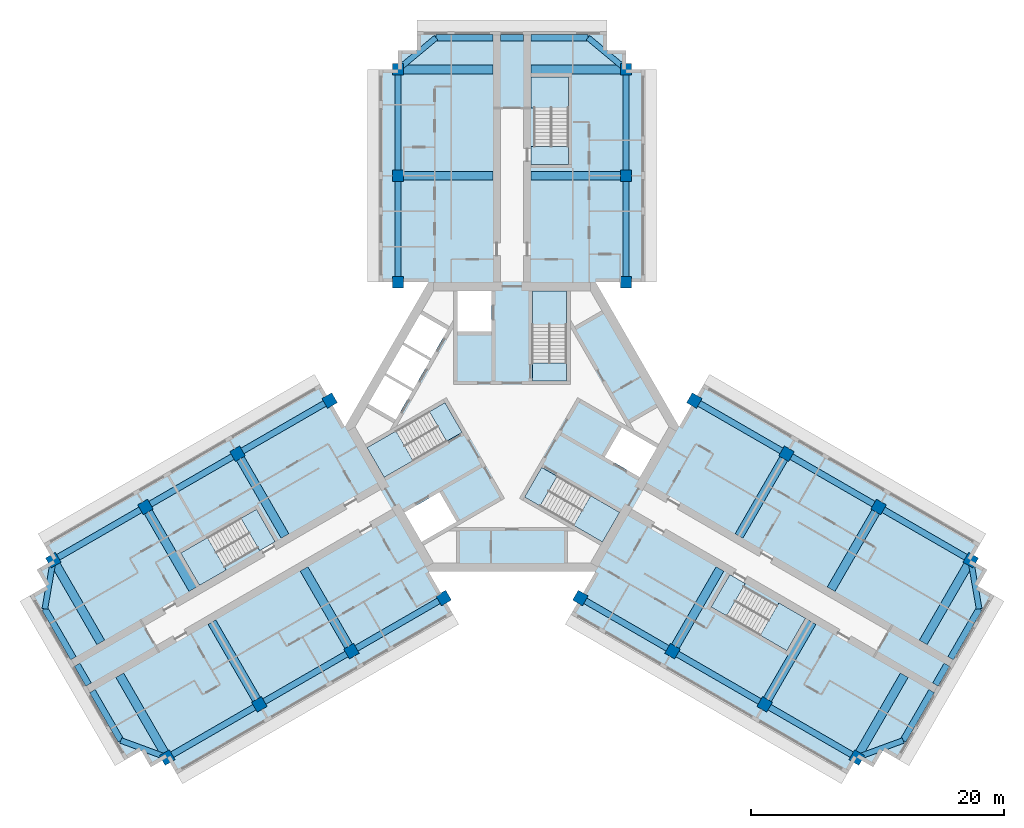
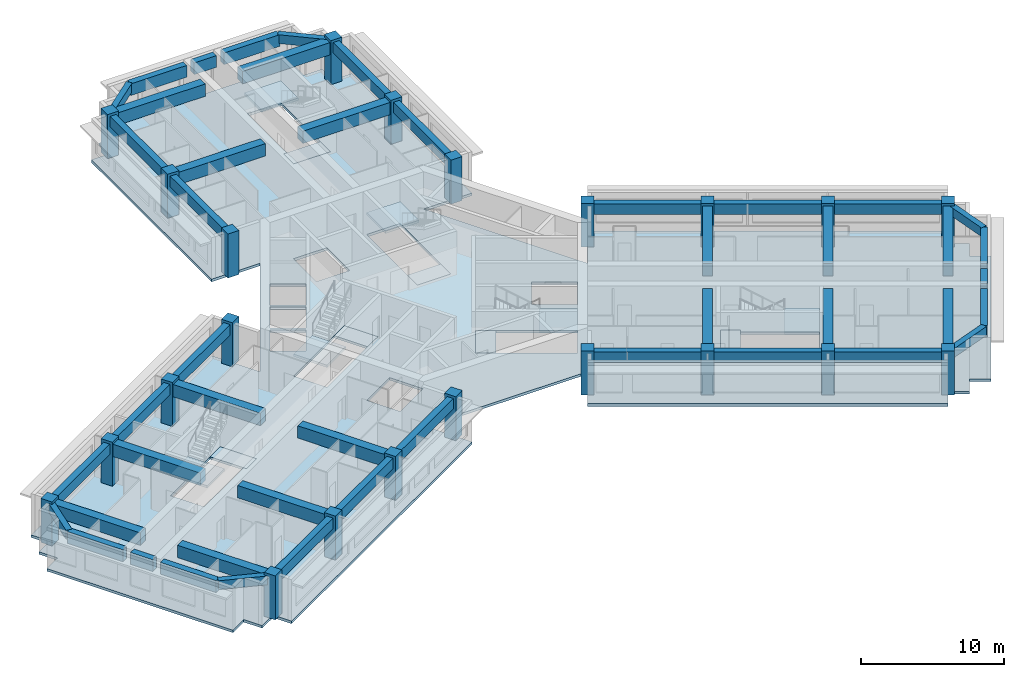
# One storey, part 1 of 10: 47 beams, 22 columns, 13 slabs, 6 elements without a shape of their own.
"""IFC4 building model written with IfcOpenShell, lengths in metres."""

from ifc_helpers import new_model, si_unit, direction, frame, origin, origin_2d, place, context, subcontext, project, spatial, polyline, rectangle, outline, extrude, material, layer, layer_set, material_profile, profile_set, type_object, element, aggregate, save


model = new_model("IFC4")

# Units and contexts
model_context = context("Model", 3, precision=1e-05, world=origin(), true_north=direction((0.0, 1.0)))
body_context = subcontext(model_context, "Body", "Model", "MODEL_VIEW")
ifc_project = project(units=[si_unit("LENGTHUNIT", "METRE"), si_unit("AREAUNIT", "SQUARE_METRE"), si_unit("VOLUMEUNIT", "CUBIC_METRE"), si_unit("PLANEANGLEUNIT", "RADIAN"), si_unit("MASSUNIT", "GRAM", prefix="KILO")], contexts=[model_context])

# Site, building, storey
site_placement = place(None, origin())
site = spatial("IfcSite", under=ifc_project, at=site_placement, CompositionType="ELEMENT")
building_placement = place(site_placement, origin())
building = spatial("IfcBuilding", under=site, at=building_placement, Name="Impinga Residences", CompositionType="ELEMENT")
storey_placement = place(building_placement, frame((0.0, 0.0, 192.25)))
storey = spatial("IfcBuildingStorey", under=building, at=storey_placement, Name="L47", CompositionType="ELEMENT", Elevation=192.25)

# Columns
ifc_material_1 = material(Name="Concrete C60/75", Category="concrete")
ifc_material_profile_1 = material_profile(ifc_material_1, rectangle(XDim=0.89990234375, YDim=0.89990234375, at=origin_2d()), Name="RC 900x900")
ifc_profile_set_1 = profile_set([ifc_material_profile_1], Name="Concrete C60/75")
column_type = type_object("IfcColumnType", Name="C4 900x900 column", PredefinedType="COLUMN", material=ifc_profile_set_1)
for number, where, z_axis, x_axis, name in (
    (1, (-9.0, 11.431640625, 0.0), (0.0, 0.0, 1.0), (1.0, 0.0, 0.0), "Column C4 N1/NA L47"),
    (2, (9.0, 11.431640625, 0.0), (0.0, 0.0, 1.0), (1.0, 0.0, 0.0), "Column C4 N1/NF L47"),
    (3, (-9.0, 19.83154296875, 0.0), (0.0, 0.0, 1.0), (1.0, 0.0, 0.0), "Column C4 N2/NA L47"),
    (4, (9.0, 19.83154296875, 0.0), (0.0, 0.0, 1.0), (1.0, 0.0, 0.0), "Column C4 N2/NF L47"),
    (5, (-9.0, 28.2314453125, 0.0), (0.0, 0.0, 1.0), (1.0, 0.0, 0.0), "Column C4 N3/NA L47"),
    (6, (9.0, 28.2314453125, 0.0), (0.0, 0.0, 1.0), (1.0, 0.0, 0.0), "Column C4 N3/NF L47"),
    (7, (-5.39990234375, -13.510009765625, 0.0), (0.0, 0.0, 1.0), (-0.5, 0.866025403784, 0.0), "Column C4 W1/WA L47"),
    (8, (-14.39990234375, 2.078369140625, 0.0), (0.0, 0.0, 1.0), (-0.5, 0.866025403784, 0.0), "Column C4 W1/WF L47"),
    (9, (-12.674560546875, -17.7099609375, 0.0), (0.0, 0.0, 1.0), (-0.5, 0.866025403784, 0.0), "Column C4 W2/WA L47"),
    (10, (-21.674560546875, -2.12158203125, 0.0), (0.0, 0.0, 1.0), (-0.5, 0.866025403784, 0.0), "Column C4 W2/WF L47"),
    (11, (-19.94921875, -21.909912109375, 0.0), (0.0, 0.0, 1.0), (-0.5, 0.866025403784, 0.0), "Column C4 W3/WA L47"),
    (12, (-28.94921875, -6.321533203125, 0.0), (0.0, 0.0, 1.0), (-0.5, 0.866025403784, 0.0), "Column C4 W3/WF L47"),
    (13, (-27.223876953125, -26.110107421875, 0.0), (0.0, 0.0, 1.0), (-0.5, 0.866025403784, 0.0), "Column C4 W4/WA L47"),
    (14, (-36.223876953125, -10.521484375, 0.0), (0.0, 0.0, 1.0), (-0.5, 0.866025403784, 0.0), "Column C4 W4/WF L47"),
    (15, (14.39990234375, 2.078369140625, 0.0), (0.0, 0.0, 1.0), (-0.5, -0.866025403784, 0.0), "Column C4 E1/EA L47"),
    (16, (5.39990234375, -13.510009765625, 0.0), (0.0, 0.0, 1.0), (-0.5, -0.866025403784, 0.0), "Column C4 E1/EF L47"),
    (17, (21.674560546875, -2.12158203125, 0.0), (0.0, 0.0, 1.0), (-0.5, -0.866025403784, 0.0), "Column C4 E2/EA L47"),
    (18, (12.674560546875, -17.7099609375, 0.0), (0.0, 0.0, 1.0), (-0.5, -0.866025403784, 0.0), "Column C4 E2/EF L47"),
    (19, (28.94921875, -6.321533203125, 0.0), (0.0, 0.0, 1.0), (-0.5, -0.866025403784, 0.0), "Column C4 E3/EA L47"),
    (20, (19.94921875, -21.909912109375, 0.0), (0.0, 0.0, 1.0), (-0.5, -0.866025403784, 0.0), "Column C4 E3/EF L47"),
    (21, (36.223876953125, -10.521484375, 0.0), (0.0, 0.0, 1.0), (-0.5, -0.866025403784, 0.0), "Column C4 E4/EA L47"),
    (22, (27.223876953125, -26.110107421875, 0.0), (0.0, 0.0, 1.0), (-0.5, -0.866025403784, 0.0), "Column C4 E4/EF L47"),
):
    element("IfcColumn", number, at=place(storey_placement, frame(where, z_axis=z_axis, x_axis=x_axis)), inside=storey, type_object=column_type, Name=name, PredefinedType="COLUMN", context=body_context, shape_type="SweptSolid", body=[
        extrude(rectangle(XDim=0.89990234375, YDim=0.89990234375, at=origin_2d()), origin(), (0.0, 0.0, 1.0), 3.75),
    ])

# Beams
ifc_material_profile_2 = material_profile(ifc_material_1, rectangle(XDim=0.449951171875, YDim=0.75, at=origin_2d()), Name="RC 450x750")
ifc_profile_set_2 = profile_set([ifc_material_profile_2], Name="Concrete C60/75")
beam_type_1 = type_object("IfcBeamType", Name="CB1 450x750 wing end cantilever beam", PredefinedType="BEAM", material=ifc_profile_set_2)
for number, where, z_axis, x_axis, name in (
    (23, (-9.0, 28.2314453125, 3.155029296875), (0.768221279597, 0.640184399664, 0.0), (-0.640184399664, 0.768221279597, 0.0), "Beam CB1 NB N3-NX level L48"),
    (24, (9.0, 28.2314453125, 3.155029296875), (-0.768221279597, 0.640184399664, 0.0), (-0.640184399664, -0.768221279597, 0.0), "Beam CB1 NE N3-NX level L48"),
    (25, (-27.223876953125, -26.110107421875, 3.155029296875), (-0.938520178725, 0.345224382289, 0.0), (-0.345224382289, -0.938520178725, 0.0), "Beam CB1 WB W4-WX level L48"),
):
    element("IfcBeam", number, at=place(storey_placement, frame(where, z_axis=z_axis, x_axis=x_axis)), inside=storey, type_object=beam_type_1, Name=name, PredefinedType="BEAM", context=body_context, shape_type="SweptSolid", body=[
        extrude(rectangle(XDim=0.449951171875, YDim=0.75, at=origin_2d()), origin(), (0.0, 0.0, 1.0), 3.905029296875),
    ])
for number, where, z_axis, x_axis, name in (
    (26, (-36.223876953125, -10.521484375, 3.155029296875), (-0.170296298948, -0.985392901621, 0.0), (0.985392901621, -0.170296298948, 0.0), "Beam CB1 WE W4-WX level L48"),
    (27, (36.223876953125, -10.521484375, 3.155029296875), (0.170296298948, -0.985392901621, 0.0), (0.985392901621, 0.170296298948, 0.0), "Beam CB1 EB E4-EX level L48"),
):
    element("IfcBeam", number, at=place(storey_placement, frame(where, z_axis=z_axis, x_axis=x_axis)), inside=storey, type_object=beam_type_1, Name=name, PredefinedType="BEAM", context=body_context, shape_type="SweptSolid", body=[
        extrude(rectangle(XDim=0.449951171875, YDim=0.75, at=origin_2d()), origin(), (0.0, 0.0, 1.0), 3.9052734375),
    ])
beam_1_placement = place(storey_placement, frame((27.223876953125, -26.110107421875, 3.155029296875), z_axis=(0.938520178725, 0.345224382289, 0.0), x_axis=(-0.345224382289, 0.938520178725, 0.0)))
element("IfcBeam", 28, at=beam_1_placement, inside=storey, type_object=beam_type_1, Name="Beam CB1 EE E4-EX level L48", PredefinedType="BEAM", context=body_context, shape_type="SweptSolid", body=[
    extrude(rectangle(XDim=0.449951171875, YDim=0.75, at=origin_2d()), origin(), (0.0, 0.0, 1.0), 3.905029296875),
])
ifc_material_profile_3 = material_profile(ifc_material_1, rectangle(XDim=0.699951171875, YDim=1.050048828125, at=origin_2d()), Name="RC 700x1050")
ifc_profile_set_3 = profile_set([ifc_material_profile_3], Name="Concrete C60/75")
beam_type_2 = type_object("IfcBeamType", Name="CG1 700x1050 cross girder on a wing bay line", PredefinedType="BEAM", material=ifc_profile_set_3)
for number, where, z_axis, x_axis, name in (
    (29, (-1.5, 19.83154296875, 3.0048828125), (-1.0, 0.0, 0.0), (0.0, -1.0, 0.0), "Beam CG1 N2 NC/NA level L48"),
    (30, (-1.5, 28.2314453125, 3.0048828125), (-1.0, 0.0, 0.0), (0.0, -1.0, 0.0), "Beam CG1 N3 NC/NA level L48"),
    (31, (1.5, 19.83154296875, 3.0048828125), (1.0, 0.0, 0.0), (0.0, 1.0, 0.0), "Beam CG1 N2 NC/NF level L48"),
    (32, (1.5, 28.2314453125, 3.0048828125), (1.0, 0.0, 0.0), (0.0, 1.0, 0.0), "Beam CG1 N3 NC/NF level L48"),
    (33, (-16.424560546875, -11.21484375, 3.0048828125), (0.500004234368, -0.866022959057, 0.0), (0.866022959057, 0.500004234368, 0.0), "Beam CG1 W2 WC/WA level L48"),
    (34, (-23.69921875, -15.414794921875, 3.0048828125), (0.500004234368, -0.866022959057, 0.0), (0.866022959057, 0.500004234368, 0.0), "Beam CG1 W3 WC/WA level L48"),
):
    element("IfcBeam", number, at=place(storey_placement, frame(where, z_axis=z_axis, x_axis=x_axis)), inside=storey, type_object=beam_type_2, Name=name, PredefinedType="BEAM", context=body_context, shape_type="SweptSolid", body=[
        extrude(rectangle(XDim=0.699951171875, YDim=1.050048828125, at=origin_2d()), origin(), (0.0, 0.0, 1.0), 7.5),
    ])
beam_2_placement = place(storey_placement, frame((-30.973876953125, -19.61474609375, 3.0048828125), z_axis=(0.499990139034, -0.866031096941, 0.0), x_axis=(0.866031096941, 0.499990139034, 0.0)))
element("IfcBeam", 35, at=beam_2_placement, inside=storey, type_object=beam_type_2, Name="Beam CG1 W4 WC/WA level L48", PredefinedType="BEAM", context=body_context, shape_type="SweptSolid", body=[
    extrude(rectangle(XDim=0.699951171875, YDim=1.050048828125, at=origin_2d()), origin(), (0.0, 0.0, 1.0), 7.500244140625),
])
for number, where, z_axis, x_axis, name in (
    (36, (-17.924560546875, -8.61669921875, 3.0048828125), (-0.500004234368, 0.866022959057, 0.0), (-0.866022959057, -0.500004234368, 0.0), "Beam CG1 W2 WC/WF level L48"),
    (37, (-25.19921875, -12.816650390625, 3.0048828125), (-0.500004234368, 0.866022959057, 0.0), (-0.866022959057, -0.500004234368, 0.0), "Beam CG1 W3 WC/WF level L48"),
):
    element("IfcBeam", number, at=place(storey_placement, frame(where, z_axis=z_axis, x_axis=x_axis)), inside=storey, type_object=beam_type_2, Name=name, PredefinedType="BEAM", context=body_context, shape_type="SweptSolid", body=[
        extrude(rectangle(XDim=0.699951171875, YDim=1.050048828125, at=origin_2d()), origin(), (0.0, 0.0, 1.0), 7.5),
    ])
beam_3_placement = place(storey_placement, frame((-32.473876953125, -17.016845703125, 3.0048828125), z_axis=(-0.499990139034, 0.866031096941, 0.0), x_axis=(-0.866031096941, -0.499990139034, 0.0)))
element("IfcBeam", 38, at=beam_3_placement, inside=storey, type_object=beam_type_2, Name="Beam CG1 W4 WC/WF level L48", PredefinedType="BEAM", context=body_context, shape_type="SweptSolid", body=[
    extrude(rectangle(XDim=0.699951171875, YDim=1.050048828125, at=origin_2d()), origin(), (0.0, 0.0, 1.0), 7.500244140625),
])
for number, where, z_axis, x_axis, name in (
    (39, (17.924560546875, -8.61669921875, 3.0048828125), (0.500004234368, 0.866022959057, 0.0), (-0.866022959057, 0.500004234368, 0.0), "Beam CG1 E2 EC/EA level L48"),
    (40, (25.19921875, -12.816650390625, 3.0048828125), (0.500004234368, 0.866022959057, 0.0), (-0.866022959057, 0.500004234368, 0.0), "Beam CG1 E3 EC/EA level L48"),
):
    element("IfcBeam", number, at=place(storey_placement, frame(where, z_axis=z_axis, x_axis=x_axis)), inside=storey, type_object=beam_type_2, Name=name, PredefinedType="BEAM", context=body_context, shape_type="SweptSolid", body=[
        extrude(rectangle(XDim=0.699951171875, YDim=1.050048828125, at=origin_2d()), origin(), (0.0, 0.0, 1.0), 7.5),
    ])
beam_4_placement = place(storey_placement, frame((32.473876953125, -17.016845703125, 3.0048828125), z_axis=(0.499990139034, 0.866031096941, 0.0), x_axis=(-0.866031096941, 0.499990139034, 0.0)))
element("IfcBeam", 41, at=beam_4_placement, inside=storey, type_object=beam_type_2, Name="Beam CG1 E4 EC/EA level L48", PredefinedType="BEAM", context=body_context, shape_type="SweptSolid", body=[
    extrude(rectangle(XDim=0.699951171875, YDim=1.050048828125, at=origin_2d()), origin(), (0.0, 0.0, 1.0), 7.500244140625),
])
for number, where, z_axis, x_axis, name in (
    (42, (16.424560546875, -11.21484375, 3.0048828125), (-0.500004234368, -0.866022959057, 0.0), (0.866022959057, -0.500004234368, 0.0), "Beam CG1 E2 EC/EF level L48"),
    (43, (23.69921875, -15.414794921875, 3.0048828125), (-0.500004234368, -0.866022959057, 0.0), (0.866022959057, -0.500004234368, 0.0), "Beam CG1 E3 EC/EF level L48"),
):
    element("IfcBeam", number, at=place(storey_placement, frame(where, z_axis=z_axis, x_axis=x_axis)), inside=storey, type_object=beam_type_2, Name=name, PredefinedType="BEAM", context=body_context, shape_type="SweptSolid", body=[
        extrude(rectangle(XDim=0.699951171875, YDim=1.050048828125, at=origin_2d()), origin(), (0.0, 0.0, 1.0), 7.5),
    ])
beam_5_placement = place(storey_placement, frame((30.973876953125, -19.61474609375, 3.0048828125), z_axis=(-0.499990139034, -0.866031096941, 0.0), x_axis=(0.866031096941, -0.499990139034, 0.0)))
element("IfcBeam", 44, at=beam_5_placement, inside=storey, type_object=beam_type_2, Name="Beam CG1 E4 EC/EF level L48", PredefinedType="BEAM", context=body_context, shape_type="SweptSolid", body=[
    extrude(rectangle(XDim=0.699951171875, YDim=1.050048828125, at=origin_2d()), origin(), (0.0, 0.0, 1.0), 7.500244140625),
])
ifc_material_profile_4 = material_profile(ifc_material_1, rectangle(XDim=0.5, YDim=1.0, at=origin_2d()), Name="RC 500x1000")
ifc_profile_set_4 = profile_set([ifc_material_profile_4], Name="Concrete C60/75")
beam_type_3 = type_object("IfcBeamType", Name="EB1 500x1000 wing end beam", PredefinedType="BEAM", material=ifc_profile_set_4)
beam_6_placement = place(storey_placement, frame((-6.0, 30.7314453125, 3.030029296875), z_axis=(1.0, 0.0, 0.0), x_axis=(0.0, 1.0, 0.0)))
element("IfcBeam", 45, at=beam_6_placement, inside=storey, type_object=beam_type_3, Name="Beam EB1 NX2 level L48", PredefinedType="BEAM", context=body_context, shape_type="SweptSolid", body=[
    extrude(rectangle(XDim=0.5, YDim=1.0, at=origin_2d()), origin(), (0.0, 0.0, 1.0), 4.5),
])
beam_7_placement = place(storey_placement, frame((-0.89990234375, 30.7314453125, 3.030029296875), z_axis=(1.0, 0.0, 0.0), x_axis=(0.0, 1.0, 0.0)))
element("IfcBeam", 46, at=beam_7_placement, inside=storey, type_object=beam_type_3, Name="Beam EB1 NX2 level L48", PredefinedType="BEAM", context=body_context, shape_type="SweptSolid", body=[
    extrude(rectangle(XDim=0.5, YDim=1.0, at=origin_2d()), origin(), (0.0, 0.0, 1.0), 1.7998046875),
])
for number, where, z_axis, x_axis, name in (
    (47, (1.5, 30.7314453125, 3.030029296875), (1.0, 0.0, 0.0), (0.0, 1.0, 0.0), "Beam EB1 NX2 level L48"),
    (48, (-30.888916015625, -24.761962890625, 3.030029296875), (-0.499990139034, 0.866031096941, 0.0), (-0.866031096941, -0.499990139034, 0.0), "Beam EB1 WX3 level L48"),
):
    element("IfcBeam", number, at=place(storey_placement, frame(where, z_axis=z_axis, x_axis=x_axis)), inside=storey, type_object=beam_type_3, Name=name, PredefinedType="BEAM", context=body_context, shape_type="SweptSolid", body=[
        extrude(rectangle(XDim=0.5, YDim=1.0, at=origin_2d()), origin(), (0.0, 0.0, 1.0), 4.5),
    ])
beam_8_placement = place(storey_placement, frame((-33.43896484375, -20.34521484375, 3.030029296875), z_axis=(-0.499961193289, 0.866047807691, 0.0), x_axis=(-0.866047807691, -0.499961193289, 0.0)))
element("IfcBeam", 49, at=beam_8_placement, inside=storey, type_object=beam_type_3, Name="Beam EB1 WX3 level L48", PredefinedType="BEAM", context=body_context, shape_type="SweptSolid", body=[
    extrude(rectangle(XDim=0.5, YDim=1.0, at=origin_2d()), origin(), (0.0, 0.0, 1.0), 1.800048828125),
])
for number, where, z_axis, x_axis, name in (
    (50, (-34.638916015625, -18.266845703125, 3.030029296875), (-0.499990139034, 0.866031096941, 0.0), (-0.866031096941, -0.499990139034, 0.0), "Beam EB1 WX3 level L48"),
    (51, (36.888916015625, -14.36962890625, 3.030029296875), (-0.499990139034, -0.866031096941, 0.0), (0.866031096941, -0.499990139034, 0.0), "Beam EB1 EX3 level L48"),
):
    element("IfcBeam", number, at=place(storey_placement, frame(where, z_axis=z_axis, x_axis=x_axis)), inside=storey, type_object=beam_type_3, Name=name, PredefinedType="BEAM", context=body_context, shape_type="SweptSolid", body=[
        extrude(rectangle(XDim=0.5, YDim=1.0, at=origin_2d()), origin(), (0.0, 0.0, 1.0), 4.5),
    ])
beam_9_placement = place(storey_placement, frame((34.3388671875, -18.786376953125, 3.030029296875), z_axis=(-0.499961193289, -0.866047807691, 0.0), x_axis=(0.866047807691, -0.499961193289, 0.0)))
element("IfcBeam", 52, at=beam_9_placement, inside=storey, type_object=beam_type_3, Name="Beam EB1 EX3 level L48", PredefinedType="BEAM", context=body_context, shape_type="SweptSolid", body=[
    extrude(rectangle(XDim=0.5, YDim=1.0, at=origin_2d()), origin(), (0.0, 0.0, 1.0), 1.800048828125),
])
beam_10_placement = place(storey_placement, frame((33.138916015625, -20.86474609375, 3.030029296875), z_axis=(-0.499990139034, -0.866031096941, 0.0), x_axis=(0.866031096941, -0.499990139034, 0.0)))
element("IfcBeam", 53, at=beam_10_placement, inside=storey, type_object=beam_type_3, Name="Beam EB1 EX3 level L48", PredefinedType="BEAM", context=body_context, shape_type="SweptSolid", body=[
    extrude(rectangle(XDim=0.5, YDim=1.0, at=origin_2d()), origin(), (0.0, 0.0, 1.0), 4.5),
])
ifc_material_profile_5 = material_profile(ifc_material_1, rectangle(XDim=0.5, YDim=0.89990234375, at=origin_2d()), Name="RC 500x900")
ifc_profile_set_5 = profile_set([ifc_material_profile_5], Name="Concrete C60/75")
beam_type_4 = type_object("IfcBeamType", Name="SB1 500x900 perimeter spandrel beam", PredefinedType="SPANDREL", material=ifc_profile_set_5)
for number, where, z_axis, x_axis, name in (
    (54, (-9.0, 11.431640625, 3.080078125), (0.0, 1.0, 0.0), (-1.0, 0.0, 0.0), "Beam SB1 NA N1-N2 level L48"),
    (55, (-9.0, 19.83154296875, 3.080078125), (0.0, 1.0, 0.0), (-1.0, 0.0, 0.0), "Beam SB1 NA N2-N3 level L48"),
    (56, (9.0, 11.431640625, 3.080078125), (0.0, 1.0, 0.0), (-1.0, 0.0, 0.0), "Beam SB1 NF N1-N2 level L48"),
    (57, (9.0, 19.83154296875, 3.080078125), (0.0, 1.0, 0.0), (-1.0, 0.0, 0.0), "Beam SB1 NF N2-N3 level L48"),
    (58, (-5.39990234375, -13.510009765625, 3.080078125), (-0.86602925447, -0.499993330357, 0.0), (0.499993330357, -0.86602925447, 0.0), "Beam SB1 WA W1-W2 level L48"),
    (59, (-12.674560546875, -17.7099609375, 3.080078125), (-0.86602925447, -0.499993330357, 0.0), (0.499993330357, -0.86602925447, 0.0), "Beam SB1 WA W2-W3 level L48"),
):
    element("IfcBeam", number, at=place(storey_placement, frame(where, z_axis=z_axis, x_axis=x_axis)), inside=storey, type_object=beam_type_4, Name=name, PredefinedType="SPANDREL", context=body_context, shape_type="SweptSolid", body=[
        extrude(rectangle(XDim=0.5, YDim=0.89990234375, at=origin_2d()), origin(), (0.0, 0.0, 1.0), 8.39990234375),
    ])
beam_11_placement = place(storey_placement, frame((-19.94921875, -21.909912109375, 3.080078125), z_axis=(-0.866016669275, -0.500015128309, 0.0), x_axis=(0.500015128309, -0.866016669275, 0.0)))
element("IfcBeam", 60, at=beam_11_placement, inside=storey, type_object=beam_type_4, Name="Beam SB1 WA W3-W4 level L48", PredefinedType="SPANDREL", context=body_context, shape_type="SweptSolid", body=[
    extrude(rectangle(XDim=0.5, YDim=0.89990234375, at=origin_2d()), origin(), (0.0, 0.0, 1.0), 8.400146484375),
])
for number, where, z_axis, x_axis, name in (
    (61, (-14.39990234375, 2.078369140625, 3.080078125), (-0.86602925447, -0.499993330357, 0.0), (0.499993330357, -0.86602925447, 0.0), "Beam SB1 WF W1-W2 level L48"),
    (62, (-21.674560546875, -2.12158203125, 3.080078125), (-0.86602925447, -0.499993330357, 0.0), (0.499993330357, -0.86602925447, 0.0), "Beam SB1 WF W2-W3 level L48"),
    (63, (-28.94921875, -6.321533203125, 3.080078125), (-0.86602925447, -0.499993330357, 0.0), (0.499993330357, -0.86602925447, 0.0), "Beam SB1 WF W3-W4 level L48"),
    (64, (14.39990234375, 2.078369140625, 3.080078125), (0.86602925447, -0.499993330357, 0.0), (0.499993330357, 0.86602925447, 0.0), "Beam SB1 EA E1-E2 level L48"),
    (65, (21.674560546875, -2.12158203125, 3.080078125), (0.86602925447, -0.499993330357, 0.0), (0.499993330357, 0.86602925447, 0.0), "Beam SB1 EA E2-E3 level L48"),
    (66, (28.94921875, -6.321533203125, 3.080078125), (0.86602925447, -0.499993330357, 0.0), (0.499993330357, 0.86602925447, 0.0), "Beam SB1 EA E3-E4 level L48"),
    (67, (5.39990234375, -13.510009765625, 3.080078125), (0.86602925447, -0.499993330357, 0.0), (0.499993330357, 0.86602925447, 0.0), "Beam SB1 EF E1-E2 level L48"),
    (68, (12.674560546875, -17.7099609375, 3.080078125), (0.86602925447, -0.499993330357, 0.0), (0.499993330357, 0.86602925447, 0.0), "Beam SB1 EF E2-E3 level L48"),
):
    element("IfcBeam", number, at=place(storey_placement, frame(where, z_axis=z_axis, x_axis=x_axis)), inside=storey, type_object=beam_type_4, Name=name, PredefinedType="SPANDREL", context=body_context, shape_type="SweptSolid", body=[
        extrude(rectangle(XDim=0.5, YDim=0.89990234375, at=origin_2d()), origin(), (0.0, 0.0, 1.0), 8.39990234375),
    ])
beam_12_placement = place(storey_placement, frame((19.94921875, -21.909912109375, 3.080078125), z_axis=(0.866016669275, -0.500015128309, 0.0), x_axis=(0.500015128309, 0.866016669275, 0.0)))
element("IfcBeam", 69, at=beam_12_placement, inside=storey, type_object=beam_type_4, Name="Beam SB1 EF E3-E4 level L48", PredefinedType="SPANDREL", context=body_context, shape_type="SweptSolid", body=[
    extrude(rectangle(XDim=0.5, YDim=0.89990234375, at=origin_2d()), origin(), (0.0, 0.0, 1.0), 8.400146484375),
])

# Slab
ifc_layer_1 = layer(ifc_material_1, 0.219970703125)
ifc_layer_set_1 = layer_set([ifc_layer_1], Name="Concrete C60/75")
slab_type_1 = type_object("IfcSlabType", Name="FS1 tower floor slab 220", PredefinedType="FLOOR", material=ifc_layer_set_1)
slab_1_placement = place(storey_placement, frame((0.0, 0.0, -0.219970703125)))
element("IfcSlab", 70, at=slab_1_placement, inside=storey, type_object=slab_type_1, Name="Floor slab FS1 L47", PredefinedType="FLOOR", context=body_context, shape_type="SweptSolid", body=[
    extrude(outline(polyline([(-27.223876953125, -26.110107421875), (-28.52294921875, -26.860107421875), (-29.27294921875, -25.56103515625), (-30.572021484375, -26.31103515625), (-38.072021484375, -13.320556640625), (-36.77294921875, -12.570556640625), (-37.52294921875, -11.271484375), (-36.223876953125, -10.521484375), (-36.973876953125, -9.222412109375), (-15.14990234375, 3.37744140625), (-13.199951171875, 0.0), (-6.60009765625, 11.431640625), (-10.5, 11.431640625), (-10.5, 28.2314453125), (-9.0, 28.2314453125), (-9.0, 29.7314453125), (-7.5, 29.7314453125), (-7.5, 31.2314453125), (7.5, 31.2314453125), (7.5, 29.7314453125), (9.0, 29.7314453125), (9.0, 28.2314453125), (10.5, 28.2314453125), (10.5, 11.431640625), (6.60009765625, 11.431640625), (13.199951171875, 0.0), (15.14990234375, 3.37744140625), (36.973876953125, -9.222412109375), (36.223876953125, -10.521484375), (37.52294921875, -11.271484375), (36.77294921875, -12.570556640625), (38.072021484375, -13.320556640625), (30.572021484375, -26.31103515625), (29.27294921875, -25.56103515625), (28.52294921875, -26.860107421875), (27.223876953125, -26.110107421875), (26.473876953125, -27.408935546875), (4.64990234375, -14.80908203125), (9.900146484375, -5.7158203125), (6.60009765625, -11.431640625), (-6.60009765625, -11.431640625), (-9.900146484375, -5.7158203125), (-4.64990234375, -14.80908203125), (-26.473876953125, -27.408935546875), (-27.223876953125, -26.110107421875)]), holes=[polyline([(-18.7041015625, -9.066650390625), (-18.8291015625, -8.850341796875), (-18.8291015625, -8.850341796875), (-20.178955078125, -6.511962890625), (-21.391357421875, -7.2119140625), (-21.391357421875, -7.2119140625), (-26.154541015625, -9.9619140625), (-24.8046875, -12.30029296875), (-20.04150390625, -9.55029296875), (-19.91650390625, -9.766845703125), (-18.7041015625, -9.066650390625)]), polyline([(-5.72119140625, -5.150634765625), (-8.493896484375, -6.75146484375), (-7.143798828125, -9.089599609375), (-4.37109375, -7.489013671875), (-5.72119140625, -5.150634765625)]), polyline([(-5.293701171875, 1.908935546875), (-11.44384765625, -1.641845703125), (-10.09375, -3.980224609375), (-3.943603515625, -0.429443359375), (-5.293701171875, 1.908935546875)]), polyline([(-7.878662109375, 2.816650390625), (-10.043701171875, 4.066650390625), (-11.34375, 1.81494140625), (-9.1787109375, 0.56494140625), (-7.878662109375, 2.816650390625)]), polyline([(-6.478759765625, 5.24169921875), (-8.643798828125, 6.49169921875), (-9.94384765625, 4.239990234375), (-7.77880859375, 2.989990234375), (-6.478759765625, 5.24169921875)]), polyline([(-6.378662109375, 5.414794921875), (-5.07861328125, 7.66650390625), (-7.243896484375, 8.91650390625), (-8.543701171875, 6.664794921875), (-6.378662109375, 5.414794921875)]), polyline([(-4.300048828125, 7.530029296875), (-1.60009765625, 7.530029296875), (-1.60009765625, 10.7314453125), (-4.300048828125, 10.7314453125), (-4.300048828125, 7.530029296875)]), polyline([(15.72900390625, -14.219482421875), (21.70458984375, -17.669677734375), (23.0546875, -15.331298828125), (18.29150390625, -12.581298828125), (18.41650390625, -12.36474609375), (17.2041015625, -11.664794921875), (15.72900390625, -14.219482421875)]), polyline([(0.99365234375, -5.538818359375), (7.143798828125, -9.089599609375), (8.493896484375, -6.75146484375), (2.34375, -3.20068359375), (0.99365234375, -5.538818359375)]), polyline([(7.3212890625, -2.37939453125), (10.09375, -3.980224609375), (11.44384765625, -1.641845703125), (8.671142578125, -0.041015625), (7.3212890625, -2.37939453125)]), polyline([(4.300048828125, 3.6298828125), (4.300048828125, 10.7314453125), (1.60009765625, 10.7314453125), (1.60009765625, 3.6298828125), (4.300048828125, 3.6298828125)]), polyline([(1.75, 22.131591796875), (1.5, 22.131591796875), (1.5, 20.7314453125), (1.75, 20.7314453125), (4.449951171875, 20.7314453125), (4.449951171875, 22.131591796875), (4.449951171875, 27.631591796875), (1.75, 27.631591796875), (1.75, 22.131591796875)])]), origin(), (0.0, 0.0, 1.0), 0.219970703125),
])

# Stair, slabs
ifc_material_2 = material(Name="Concrete C40/50", Category="concrete")
stair_type_1 = type_object("IfcStairType", Name="STR core stair 3750 storey, 24 risers", PredefinedType="HALF_TURN_STAIR", material=ifc_material_2)
stair_1_placement = place(storey_placement, origin())
stair_1 = element("IfcStair", 71, at=stair_1_placement, inside=storey, type_object=stair_type_1, Name="Stair ST1 L47", PredefinedType="HALF_TURN_STAIR")
ifc_layer_2 = layer(ifc_material_2, 0.199951171875)
ifc_layer_set_2 = layer_set([ifc_layer_2], Name="Concrete C40/50")
slab_type_2 = type_object("IfcSlabType", Name="LS1 stair landing 200", PredefinedType="LANDING", material=ifc_layer_set_2)
slab_2_placement = place(storey_placement, frame((0.0, 0.0, -0.199951171875)))
slab_2 = element("IfcSlab", 72, at=slab_2_placement, type_object=slab_type_2, Name="ST1 landing 1", PredefinedType="LANDING", context=body_context, shape_type="SweptSolid", body=[
    extrude(outline(polyline([(1.60009765625, 3.6298828125), (4.300048828125, 3.6298828125), (4.300048828125, 5.0400390625), (1.60009765625, 5.0400390625), (1.60009765625, 3.6298828125)])), origin(), (0.0, 0.0, 1.0), 0.199951171875),
])
slab_3_placement = place(storey_placement, frame((0.0, 0.0, 1.675048828125)))
slab_3 = element("IfcSlab", 73, at=slab_3_placement, type_object=slab_type_2, Name="ST1 landing 2", PredefinedType="LANDING", context=body_context, shape_type="SweptSolid", body=[
    extrude(outline(polyline([(1.60009765625, 8.10009765625), (4.300048828125, 8.10009765625), (4.300048828125, 10.7314453125), (1.60009765625, 10.7314453125), (1.60009765625, 8.10009765625)])), origin(), (0.0, 0.0, 1.0), 0.199951171875),
])
aggregate(stair_1, [slab_2, slab_3])

stair_2_placement = place(storey_placement, origin())
stair_2 = element("IfcStair", 74, at=stair_2_placement, inside=storey, type_object=stair_type_1, Name="Stair ST2 L47", PredefinedType="HALF_TURN_STAIR")
slab_4_placement = place(storey_placement, frame((0.0, 0.0, -0.199951171875)))
slab_4 = element("IfcSlab", 75, at=slab_4_placement, type_object=slab_type_2, Name="ST2 landing 1", PredefinedType="LANDING", context=body_context, shape_type="SweptSolid", body=[
    extrude(outline(polyline([(-3.943603515625, -0.429443359375), (-5.293701171875, 1.908935546875), (-6.5146484375, 1.203857421875), (-5.164794921875, -1.13427734375), (-3.943603515625, -0.429443359375)])), origin(), (0.0, 0.0, 1.0), 0.199951171875),
])
slab_5_placement = place(storey_placement, frame((0.0, 0.0, 1.675048828125)))
slab_5 = element("IfcSlab", 76, at=slab_5_placement, type_object=slab_type_2, Name="ST2 landing 2", PredefinedType="LANDING", context=body_context, shape_type="SweptSolid", body=[
    extrude(outline(polyline([(-7.814697265625, -2.664306640625), (-9.164794921875, -0.326171875), (-11.44384765625, -1.641845703125), (-10.09375, -3.980224609375), (-7.814697265625, -2.664306640625)])), origin(), (0.0, 0.0, 1.0), 0.199951171875),
])
aggregate(stair_2, [slab_4, slab_5])

stair_3_placement = place(storey_placement, origin())
stair_3 = element("IfcStair", 77, at=stair_3_placement, inside=storey, type_object=stair_type_1, Name="Stair ST3 L47", PredefinedType="HALF_TURN_STAIR")
slab_6_placement = place(storey_placement, frame((0.0, 0.0, -0.199951171875)))
slab_6 = element("IfcSlab", 78, at=slab_6_placement, type_object=slab_type_2, Name="ST3 landing 1", PredefinedType="LANDING", context=body_context, shape_type="SweptSolid", body=[
    extrude(outline(polyline([(2.34375, -3.20068359375), (0.99365234375, -5.538818359375), (2.21484375, -6.243896484375), (3.564697265625, -3.90576171875), (2.34375, -3.20068359375)])), origin(), (0.0, 0.0, 1.0), 0.199951171875),
])
slab_7_placement = place(storey_placement, frame((0.0, 0.0, 1.675048828125)))
slab_7 = element("IfcSlab", 79, at=slab_7_placement, type_object=slab_type_2, Name="ST3 landing 2", PredefinedType="LANDING", context=body_context, shape_type="SweptSolid", body=[
    extrude(outline(polyline([(6.21484375, -5.435546875), (4.86474609375, -7.77392578125), (7.143798828125, -9.089599609375), (8.493896484375, -6.75146484375), (6.21484375, -5.435546875)])), origin(), (0.0, 0.0, 1.0), 0.199951171875),
])
aggregate(stair_3, [slab_6, slab_7])

stair_type_2 = type_object("IfcStairType", Name="STR wing stair 3750 storey, 24 risers", PredefinedType="HALF_TURN_STAIR", material=ifc_material_2)
stair_4_placement = place(storey_placement, origin())
stair_4 = element("IfcStair", 80, at=stair_4_placement, inside=storey, type_object=stair_type_2, Name="Stair WS1 L47", PredefinedType="HALF_TURN_STAIR")
slab_8_placement = place(storey_placement, frame((0.0, 0.0, -0.199951171875)))
slab_8 = element("IfcSlab", 81, at=slab_8_placement, type_object=slab_type_2, Name="WS1 landing 1", PredefinedType="LANDING", context=body_context, shape_type="SweptSolid", body=[
    extrude(outline(polyline([(1.5, 20.7314453125), (4.449951171875, 20.7314453125), (4.449951171875, 22.1416015625), (1.5, 22.1416015625), (1.5, 20.7314453125)])), origin(), (0.0, 0.0, 1.0), 0.199951171875),
])
slab_9_placement = place(storey_placement, frame((0.0, 0.0, 1.675048828125)))
slab_9 = element("IfcSlab", 82, at=slab_9_placement, type_object=slab_type_2, Name="WS1 landing 2", PredefinedType="LANDING", context=body_context, shape_type="SweptSolid", body=[
    extrude(outline(polyline([(1.5, 25.201416015625), (4.449951171875, 25.201416015625), (4.449951171875, 27.631591796875), (1.5, 27.631591796875), (1.5, 25.201416015625)])), origin(), (0.0, 0.0, 1.0), 0.199951171875),
])
aggregate(stair_4, [slab_8, slab_9])

stair_5_placement = place(storey_placement, origin())
stair_5 = element("IfcStair", 83, at=stair_5_placement, inside=storey, type_object=stair_type_2, Name="Stair WS2 L47", PredefinedType="HALF_TURN_STAIR")
slab_10_placement = place(storey_placement, frame((0.0, 0.0, -0.199951171875)))
slab_10 = element("IfcSlab", 84, at=slab_10_placement, type_object=slab_type_2, Name="WS2 landing 1", PredefinedType="LANDING", context=body_context, shape_type="SweptSolid", body=[
    extrude(outline(polyline([(-18.7041015625, -9.066650390625), (-20.178955078125, -6.511962890625), (-21.400146484375, -7.217041015625), (-19.925048828125, -9.771728515625), (-18.7041015625, -9.066650390625)])), origin(), (0.0, 0.0, 1.0), 0.199951171875),
])
slab_11_placement = place(storey_placement, frame((0.0, 0.0, 1.675048828125)))
slab_11 = element("IfcSlab", 85, at=slab_11_placement, type_object=slab_type_2, Name="WS2 landing 2", PredefinedType="LANDING", context=body_context, shape_type="SweptSolid", body=[
    extrude(outline(polyline([(-22.5751953125, -11.3017578125), (-24.050048828125, -8.7470703125), (-26.154541015625, -9.9619140625), (-24.6796875, -12.516845703125), (-22.5751953125, -11.3017578125)])), origin(), (0.0, 0.0, 1.0), 0.199951171875),
])
aggregate(stair_5, [slab_10, slab_11])

stair_6_placement = place(storey_placement, origin())
stair_6 = element("IfcStair", 86, at=stair_6_placement, inside=storey, type_object=stair_type_2, Name="Stair WS3 L47", PredefinedType="HALF_TURN_STAIR")
slab_12_placement = place(storey_placement, frame((0.0, 0.0, -0.199951171875)))
slab_12 = element("IfcSlab", 87, at=slab_12_placement, type_object=slab_type_2, Name="WS3 landing 1", PredefinedType="LANDING", context=body_context, shape_type="SweptSolid", body=[
    extrude(outline(polyline([(17.2041015625, -11.664794921875), (15.72900390625, -14.219482421875), (16.9501953125, -14.924560546875), (18.425048828125, -12.369873046875), (17.2041015625, -11.664794921875)])), origin(), (0.0, 0.0, 1.0), 0.199951171875),
])
slab_13_placement = place(storey_placement, frame((0.0, 0.0, 1.675048828125)))
slab_13 = element("IfcSlab", 88, at=slab_13_placement, type_object=slab_type_2, Name="WS3 landing 2", PredefinedType="LANDING", context=body_context, shape_type="SweptSolid", body=[
    extrude(outline(polyline([(21.0751953125, -13.89990234375), (19.60009765625, -16.45458984375), (21.70458984375, -17.669677734375), (23.1796875, -15.11474609375), (21.0751953125, -13.89990234375)])), origin(), (0.0, 0.0, 1.0), 0.199951171875),
])
aggregate(stair_6, [slab_12, slab_13])

save(model, "model.ifc")
